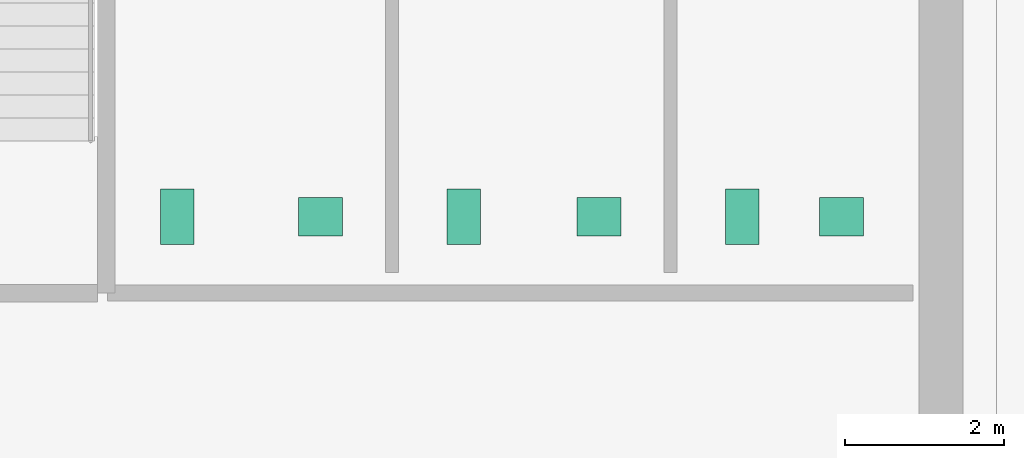
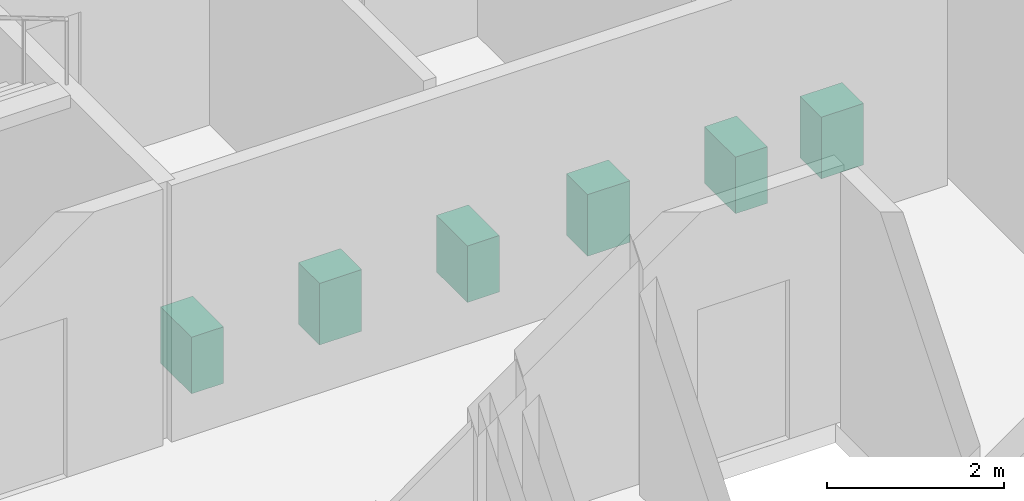
# One storey, part 10 of 10: 6 sanitary terminals.
"""IFC4 building model written with IfcOpenShell, lengths in metres."""

import ifcopenshell
import ifcopenshell.guid

model = None  # the IFC model being written
_history = None  # IfcOwnerHistory: only IFC2X3 demands one
_inside = {}  # id of a spatial element -> (the spatial element, [elements in it])
_under = {}  # id of a project, library or spatial element -> (it, [spatial elements below it])
_declared = {}  # id of a project -> (the project, [libraries it declares])
_typed = {}  # id of a type object -> (the type object, [elements of that type])
_made_of = {}  # id of a material, layer set ... -> (it, [elements and type objects made of it])


def new_model(schema):
    """Start an empty IFC model of exactly this schema.

    Asked for "IFC4X3", IfcOpenShell would pick the latest addendum, in which some entities
    have other attributes; the version numbers below select the first issue.
    IFC2X3 requires an IfcOwnerHistory on every rooted entity: one is made here for all.
    """
    global model, _history
    if schema == "IFC4X3":
        model = ifcopenshell.file(schema_version=(4, 3, 0, 0))
    else:
        model = ifcopenshell.file(schema=schema)
    _inside.clear()
    _under.clear()
    _declared.clear()
    _typed.clear()
    _made_of.clear()
    _history = None
    if model.schema == "IFC2X3":
        org = make("IfcOrganization", Name="unknown")
        user = make(
            "IfcPersonAndOrganization",
            ThePerson=make("IfcPerson", FamilyName="unknown"),
            TheOrganization=org,
        )
        app = make(
            "IfcApplication",
            ApplicationDeveloper=org,
            Version="unknown",
            ApplicationFullName="unknown",
            ApplicationIdentifier="unknown",
        )
        _history = make(
            "IfcOwnerHistory",
            OwningUser=user,
            OwningApplication=app,
            ChangeAction="ADDED",
            CreationDate=0,
        )
    return model


def make(cls, **values):
    """One entity of the class cls with the attributes given. An attribute that is None is left unset."""
    return model.create_entity(
        cls, **{name: value for name, value in values.items() if value is not None}
    )


def rooted(cls, **values):
    """An entity with a GlobalId (a new one), such as an element, a storey or a relation."""
    return make(cls, GlobalId=ifcopenshell.guid.new(), OwnerHistory=_history, **values)


def si_unit(unit_type, name, prefix=None):
    """IfcSIUnit, for example si_unit("LENGTHUNIT", "METRE", prefix="MILLI")."""
    return make("IfcSIUnit", UnitType=unit_type, Prefix=prefix, Name=name)


def assignment(units):
    """IfcUnitAssignment: the units of a project."""
    return None if units is None else make("IfcUnitAssignment", Units=units)


def point(xyz):
    """IfcCartesianPoint."""
    return None if xyz is None else make("IfcCartesianPoint", Coordinates=xyz)


def direction(xyz):
    """IfcDirection."""
    return None if xyz is None else make("IfcDirection", DirectionRatios=xyz)


def frame(location, z_axis=None, x_axis=None):
    """IfcAxis2Placement3D, a coordinate frame: its origin and axes. An axis left out is left unset."""
    return make(
        "IfcAxis2Placement3D",
        Location=point(location),
        Axis=direction(z_axis),
        RefDirection=direction(x_axis),
    )


def frame_2d(location, x_axis=None):
    """IfcAxis2Placement2D, a coordinate frame in the plane: its origin and x axis."""
    return make(
        "IfcAxis2Placement2D", Location=point(location), RefDirection=direction(x_axis)
    )


def origin():
    """The frame at (0, 0, 0) with its axes left unset."""
    return frame((0.0, 0.0, 0.0))


def origin_2d():
    """The frame at (0, 0) in the plane with its x axis left unset."""
    return frame_2d((0.0, 0.0))


def place(relative_to, where):
    """IfcLocalPlacement: puts the frame where relative to a parent placement (None: the world)."""
    return make(
        "IfcLocalPlacement", PlacementRelTo=relative_to, RelativePlacement=where
    )


def context(
    kind, dimensions, precision=None, world=None, true_north=None, identifier=None
):
    """IfcGeometricRepresentationContext, for example the 3D "Model" context."""
    return make(
        "IfcGeometricRepresentationContext",
        ContextIdentifier=identifier,
        ContextType=kind,
        CoordinateSpaceDimension=dimensions,
        Precision=precision,
        WorldCoordinateSystem=world,
        TrueNorth=true_north,
    )


def subcontext(parent, identifier, kind, view, scale=None):
    """IfcGeometricRepresentationSubContext, for example "Body" below "Model"."""
    return make(
        "IfcGeometricRepresentationSubContext",
        ContextIdentifier=identifier,
        ContextType=kind,
        ParentContext=parent,
        TargetScale=scale,
        TargetView=view,
    )


def project(units=None, contexts=None):
    """IfcProject with its units and contexts."""
    return rooted(
        "IfcProject",
        Name="project",
        RepresentationContexts=contexts,
        UnitsInContext=assignment(units),
    )


def spatial(cls, under=None, at=None, **own):
    """A site, building, storey or space (cls), placed at a placement, below another one or the project."""
    s = rooted(cls, ObjectPlacement=at, **own)
    if under is not None:
        _under.setdefault(under.id(), (under, []))[1].append(s)
    return s


def profile(cls, at=None, kind="AREA", **sizes):
    """A parametric profile (cls). Its sizes go by their IFC names, for example OverallWidth=200.0."""
    return make(cls, ProfileType=kind, Position=at, **sizes)


def rectangle(**sizes):
    """IfcRectangleProfileDef."""
    return profile("IfcRectangleProfileDef", **sizes)


def extrude(swept, where, along, depth):
    """IfcExtrudedAreaSolid: the profile swept, set in the frame where, extruded along a direction by depth."""
    return make(
        "IfcExtrudedAreaSolid",
        SweptArea=swept,
        Position=where,
        ExtrudedDirection=direction(along),
        Depth=depth,
    )


def shape(context_of_items, identifier, shape_type, items):
    """IfcShapeRepresentation: the items that make up one representation, for example the "Body"."""
    return make(
        "IfcShapeRepresentation",
        ContextOfItems=context_of_items,
        RepresentationIdentifier=identifier,
        RepresentationType=shape_type,
        Items=items,
    )


def material(Name=None, Category=None):
    """IfcMaterial."""
    return make("IfcMaterial", Name=Name, Category=Category)


def made_of(thing, what):
    """Note that an element or type object is made of a material, layer set ...; save() writes the relation."""
    if what is not None:
        _made_of.setdefault(what.id(), (what, []))[1].append(thing)
    return thing


def type_object(cls, material=None, **own):
    """A type object (cls), such as IfcWallType, which elements share."""
    return made_of(rooted(cls, **own), material)


def element(
    cls,
    number,
    at=None,
    inside=None,
    cuts=None,
    type_object=None,
    material=None,
    context=None,
    identifier="Body",
    shape_type=None,
    held_by="IfcProductDefinitionShape",
    body=None,
    shapes=None,
    **own,
):
    """One element of the class cls, such as IfcWall. Its Tag is "e" and its number.

    at: its placement. inside: the storey or other place that contains it. cuts: it is an
    opening in that element (IfcRelVoidsElement). A single representation is given by context,
    identifier, shape_type and body (its items); several are given by shapes. held_by: the class
    of the entity that holds the representations. save() writes the other relations.
    """
    e = rooted(cls, Tag="e%d" % number, ObjectPlacement=at, **own)
    if body is not None:
        shapes = [shape(context, identifier, shape_type, body)]
    if shapes is not None:
        e.Representation = make(held_by, Representations=shapes)
    if inside is not None:
        _inside.setdefault(inside.id(), (inside, []))[1].append(e)
    if cuts is not None:
        rooted(
            "IfcRelVoidsElement", RelatingBuildingElement=cuts, RelatedOpeningElement=e
        )
    if type_object is not None:
        _typed.setdefault(type_object.id(), (type_object, []))[1].append(e)
    return made_of(e, material)


def aggregate(whole, parts):
    """IfcRelAggregates: a whole, such as a stair, and the parts it consists of."""
    return rooted("IfcRelAggregates", RelatingObject=whole, RelatedObjects=parts)


def save(model, path):
    """Write the relations noted so far, then the file.

    IfcRelAggregates (storeys below a building ...), IfcRelContainedInSpatialStructure (elements
    in a storey), IfcRelDefinesByType, IfcRelAssociatesMaterial and IfcRelDeclares: one each for
    every whole, place, type object, material and project.
    """
    for whole, parts in _under.values():
        aggregate(whole, parts)
    for where, things in _inside.values():
        rooted(
            "IfcRelContainedInSpatialStructure",
            RelatedElements=things,
            RelatingStructure=where,
        )
    for kind, things in _typed.values():
        rooted("IfcRelDefinesByType", RelatedObjects=things, RelatingType=kind)
    for what, things in _made_of.values():
        rooted("IfcRelAssociatesMaterial", RelatedObjects=things, RelatingMaterial=what)
    for by, libraries in _declared.values():
        rooted("IfcRelDeclares", RelatingContext=by, RelatedDefinitions=libraries)
    model.write(path)


model = new_model("IFC4")

# Units and contexts
model_context = context("Model", 3, precision=1e-05, world=origin(), true_north=direction((0.0, 1.0)))
body_context = subcontext(model_context, "Body", "Model", "MODEL_VIEW")
ifc_project = project(units=[si_unit("LENGTHUNIT", "METRE"), si_unit("AREAUNIT", "SQUARE_METRE"), si_unit("VOLUMEUNIT", "CUBIC_METRE"), si_unit("PLANEANGLEUNIT", "RADIAN"), si_unit("MASSUNIT", "GRAM", prefix="KILO")], contexts=[model_context])

# Site, building, storey
site_placement = place(None, origin())
site = spatial("IfcSite", under=ifc_project, at=site_placement, CompositionType="ELEMENT")
building_placement = place(site_placement, origin())
building = spatial("IfcBuilding", under=site, at=building_placement, Name="Norrvale University Quadrangle", CompositionType="ELEMENT")
storey_placement = place(building_placement, frame((0.0, 0.0, 229.39990234375)))
storey = spatial("IfcBuildingStorey", under=building, at=storey_placement, Name="L58", CompositionType="ELEMENT", Elevation=229.39990234375)

# Sanitary terminals
ifc_material = material(Name="Vitreous China Sanitaryware")
sanitary_terminal_type_1 = type_object("IfcSanitaryTerminalType", Name="Sanitary Wash Basin", PredefinedType="WASHHANDBASIN", material=ifc_material)
for number, where, z_axis, x_axis, name in (
    (1, (9.0, 41.10009765625, 0.0), (0.0, 0.0, 1.0), (1.0, 0.0, 0.0), "Accessible Countertop Washbasin L58-1"),
    (2, (12.5, 41.10009765625, 0.0), (0.0, 0.0, 1.0), (1.0, 0.0, 0.0), "Accessible Countertop Washbasin L58-2"),
    (3, (15.550048828125, 41.10009765625, 0.0), (0.0, 0.0, 1.0), (1.0, 0.0, 0.0), "Accessible Countertop Washbasin L58-3"),
):
    element("IfcSanitaryTerminal", number, at=place(storey_placement, frame(where, z_axis=z_axis, x_axis=x_axis)), inside=storey, type_object=sanitary_terminal_type_1, Name=name, PredefinedType="WASHHANDBASIN", context=body_context, shape_type="SweptSolid", body=[
        extrude(rectangle(XDim=0.550048828125, YDim=0.47998046875, at=origin_2d()), origin(), (0.0, 0.0, 1.0), 0.85009765625),
    ])
sanitary_terminal_type_2 = type_object("IfcSanitaryTerminalType", Name="Sanitary Water Closet", PredefinedType="TOILETPAN", material=ifc_material)
for number, where, z_axis, x_axis, name in (
    (4, (7.199951171875, 41.10009765625, 0.0), (0.0, 0.0, 1.0), (1.0, 0.0, 0.0), "Wall-Hung Water Closet L58-1"),
    (5, (10.800048828125, 41.10009765625, 0.0), (0.0, 0.0, 1.0), (1.0, 0.0, 0.0), "Wall-Hung Water Closet L58-2"),
    (6, (14.300048828125, 41.10009765625, 0.0), (0.0, 0.0, 1.0), (1.0, 0.0, 0.0), "Wall-Hung Water Closet L58-3"),
):
    element("IfcSanitaryTerminal", number, at=place(storey_placement, frame(where, z_axis=z_axis, x_axis=x_axis)), inside=storey, type_object=sanitary_terminal_type_2, Name=name, PredefinedType="TOILETPAN", context=body_context, shape_type="SweptSolid", body=[
        extrude(rectangle(XDim=0.419921875, YDim=0.699951171875, at=origin_2d()), origin(), (0.0, 0.0, 1.0), 0.780029296875),
    ])

save(model, "model.ifc")
